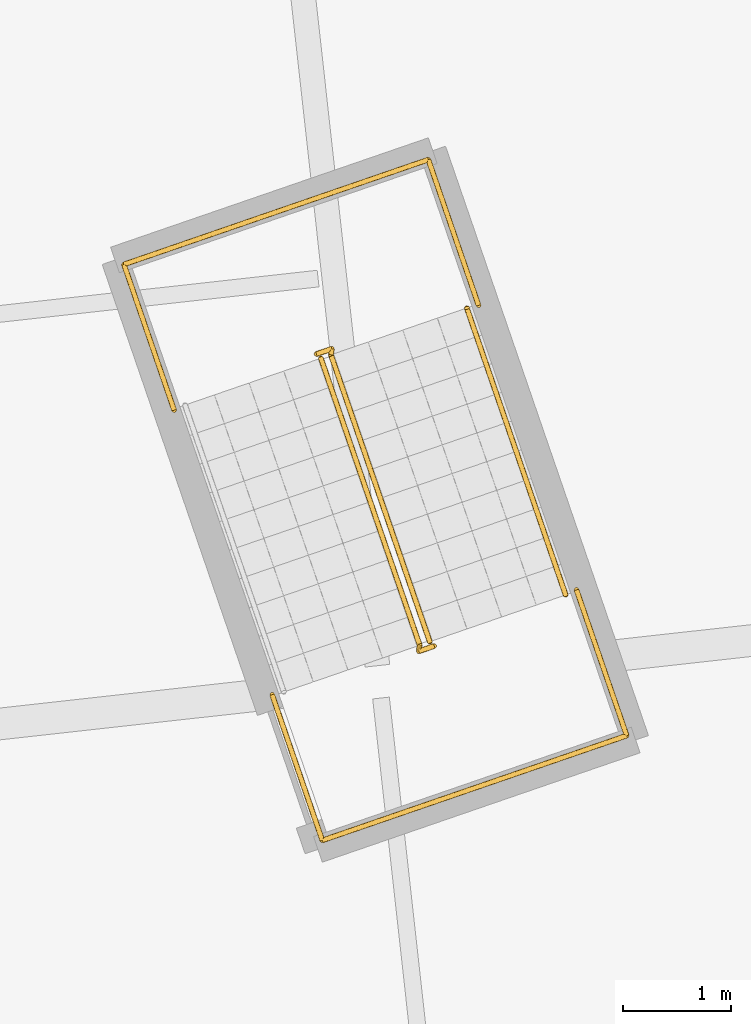
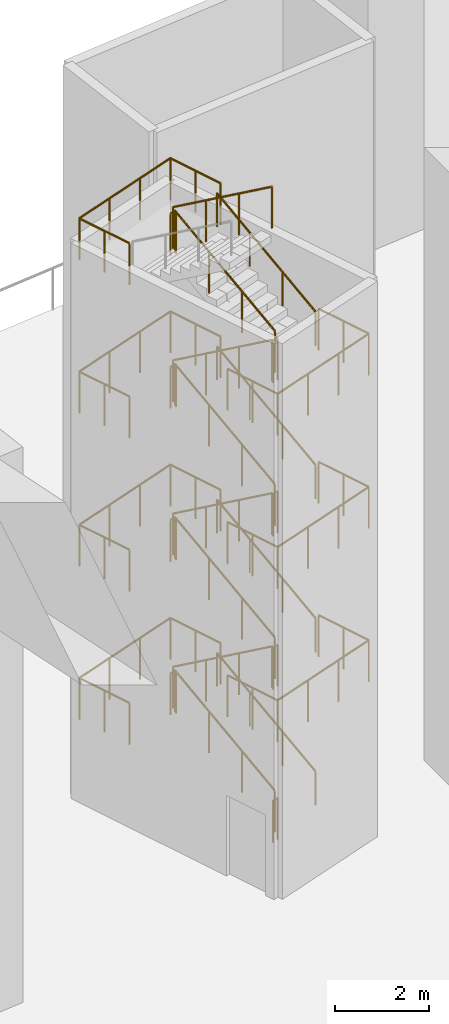
# One storey, part 10 of 13: 20 railings.
"""IFC4 building model written with IfcOpenShell, lengths in metres."""

from ifc_helpers import new_model, si_unit, direction, frame, origin, origin_2d, place, context, subcontext, project, spatial, circle, extrude, material, type_object, element, save


model = new_model("IFC4")

# Units and contexts
model_context = context("Model", 3, precision=1e-05, world=origin(), true_north=direction((0.0, 1.0)))
body_context = subcontext(model_context, "Body", "Model", "MODEL_VIEW")
ifc_project = project(units=[si_unit("LENGTHUNIT", "METRE"), si_unit("AREAUNIT", "SQUARE_METRE"), si_unit("VOLUMEUNIT", "CUBIC_METRE"), si_unit("PLANEANGLEUNIT", "RADIAN"), si_unit("MASSUNIT", "GRAM", prefix="KILO")], contexts=[model_context])

# Site, building, storey
site_placement = place(None, origin())
site = spatial("IfcSite", under=ifc_project, at=site_placement, CompositionType="ELEMENT")
building_placement = place(site_placement, origin())
building = spatial("IfcBuilding", under=site, at=building_placement, Name="Cantera Rosa Tower", CompositionType="ELEMENT")
storey_placement = place(building_placement, frame((0.0, 0.0, 84.300048828125)))
storey = spatial("IfcBuildingStorey", under=building, at=storey_placement, Name="L18", CompositionType="ELEMENT", Elevation=84.300048828125)

# Railings
ifc_material_1 = material(Name="Steel S355J2 (EN 10025-2)", Category="steel")
railing_type_1 = type_object("IfcRailingType", Name="STAIR GUARD 1100", PredefinedType="GUARDRAIL", material=ifc_material_1)
railing_1_placement = place(storey_placement, frame((-16.2978515625, 2.292236328125, 0.181884765625)))
element("IfcRailing", 1, at=railing_1_placement, inside=storey, type_object=railing_type_1, Name="L18 ST-22 stair guard 1", PredefinedType="GUARDRAIL", context=body_context, shape_type="SweptSolid", body=[
    extrude(circle(Radius=0.02392578125, at=origin_2d()), frame((0.0, 0.0, 1.076171875), z_axis=(-0.273062306291, 0.793006869154, 0.544588911342), x_axis=(-0.945515586558, -0.325576835135, 0.0)), (0.0, 0.0, 1.0), 3.338623046875),
    extrude(circle(Radius=0.02392578125, at=origin_2d()), frame((-0.91162109375, 2.6474609375, 2.89404296875), z_axis=(0.147491890402, 0.989063265047, 0.0), x_axis=(-0.989063265047, 0.147491890402, 0.0)), (0.0, 0.0, 1.0), 0.056396484375),
    extrude(circle(Radius=0.02392578125, at=origin_2d()), frame((-0.9033203125, 2.703125, 2.89404296875), z_axis=(-0.945545797087, -0.325489086777, 0.0), x_axis=(0.325489086777, -0.945545797087, 0.0)), (0.0, 0.0, 1.0), 0.14990234375),
    extrude(circle(Radius=0.02099609375, at=origin_2d()), origin(), (0.0, 0.0, 1.0), 1.052001953125),
    extrude(circle(Radius=0.02099609375, at=origin_2d()), frame((-0.303955078125, 0.882568359375, 0.60595703125)), (0.0, 0.0, 1.0), 1.052001953125),
    extrude(circle(Radius=0.02099609375, at=origin_2d()), frame((-0.607666015625, 1.764892578125, 1.212158203125)), (0.0, 0.0, 1.0), 1.052001953125),
    extrude(circle(Radius=0.02099609375, at=origin_2d()), frame((-0.91162109375, 2.6474609375, 1.818115234375)), (0.0, 0.0, 1.0), 1.052001953125),
    extrude(circle(Radius=0.02099609375, at=origin_2d()), frame((-0.9033203125, 2.703125, 1.818115234375)), (0.0, 0.0, 1.0), 1.052001953125),
    extrude(circle(Radius=0.02099609375, at=origin_2d()), frame((-1.045166015625, 2.654296875, 1.818115234375)), (0.0, 0.0, 1.0), 1.052001953125),
])
railing_2_placement = place(storey_placement, frame((-17.30224609375, 4.90771484375, 2.181884765625)))
element("IfcRailing", 2, at=railing_2_placement, inside=storey, type_object=railing_type_1, Name="L18 ST-22 stair guard 2", PredefinedType="GUARDRAIL", context=body_context, shape_type="SweptSolid", body=[
    extrude(circle(Radius=0.02392578125, at=origin_2d()), frame((0.0, 0.0, 1.076171875), z_axis=(0.273062306291, -0.793006869154, 0.544588911342), x_axis=(0.945515586558, 0.325576835135, 0.0)), (0.0, 0.0, 1.0), 3.338623046875),
    extrude(circle(Radius=0.02392578125, at=origin_2d()), frame((0.91162109375, -2.6474609375, 2.89404296875), z_axis=(-0.147491890402, -0.989063265047, 0.0), x_axis=(0.989063265047, -0.147491890402, 0.0)), (0.0, 0.0, 1.0), 0.056396484375),
    extrude(circle(Radius=0.02392578125, at=origin_2d()), frame((0.9033203125, -2.703125, 2.89404296875), z_axis=(0.945545797087, 0.325489086777, 0.0), x_axis=(-0.325489086777, 0.945545797087, 0.0)), (0.0, 0.0, 1.0), 0.14990234375),
    extrude(circle(Radius=0.02099609375, at=origin_2d()), origin(), (0.0, 0.0, 1.0), 1.052001953125),
    extrude(circle(Radius=0.02099609375, at=origin_2d()), frame((0.303955078125, -0.882568359375, 0.60595703125)), (0.0, 0.0, 1.0), 1.052001953125),
    extrude(circle(Radius=0.02099609375, at=origin_2d()), frame((0.607666015625, -1.764892578125, 1.212158203125)), (0.0, 0.0, 1.0), 1.052001953125),
    extrude(circle(Radius=0.02099609375, at=origin_2d()), frame((0.91162109375, -2.6474609375, 1.818115234375)), (0.0, 0.0, 1.0), 1.052001953125),
    extrude(circle(Radius=0.02099609375, at=origin_2d()), frame((0.9033203125, -2.703125, 1.818115234375)), (0.0, 0.0, 1.0), 1.052001953125),
    extrude(circle(Radius=0.02099609375, at=origin_2d()), frame((1.045166015625, -2.654296875, 1.818115234375)), (0.0, 0.0, 1.0), 1.052001953125),
])
railing_3_placement = place(storey_placement, frame((-16.2978515625, 2.292236328125, 4.181884765625)))
element("IfcRailing", 3, at=railing_3_placement, inside=storey, type_object=railing_type_1, Name="L18 ST-22 stair guard 3", PredefinedType="GUARDRAIL", context=body_context, shape_type="SweptSolid", body=[
    extrude(circle(Radius=0.02392578125, at=origin_2d()), frame((0.0, 0.0, 1.076171875), z_axis=(-0.273062306291, 0.793006869154, 0.544588911342), x_axis=(-0.945515586558, -0.325576835135, 0.0)), (0.0, 0.0, 1.0), 3.338623046875),
    extrude(circle(Radius=0.02392578125, at=origin_2d()), frame((-0.91162109375, 2.6474609375, 2.89404296875), z_axis=(0.147491890402, 0.989063265047, 0.0), x_axis=(-0.989063265047, 0.147491890402, 0.0)), (0.0, 0.0, 1.0), 0.056396484375),
    extrude(circle(Radius=0.02392578125, at=origin_2d()), frame((-0.9033203125, 2.703125, 2.89404296875), z_axis=(-0.945545797087, -0.325489086777, 0.0), x_axis=(0.325489086777, -0.945545797087, 0.0)), (0.0, 0.0, 1.0), 0.14990234375),
    extrude(circle(Radius=0.02099609375, at=origin_2d()), origin(), (0.0, 0.0, 1.0), 1.052001953125),
    extrude(circle(Radius=0.02099609375, at=origin_2d()), frame((-0.303955078125, 0.882568359375, 0.60595703125)), (0.0, 0.0, 1.0), 1.052001953125),
    extrude(circle(Radius=0.02099609375, at=origin_2d()), frame((-0.607666015625, 1.764892578125, 1.212158203125)), (0.0, 0.0, 1.0), 1.052001953125),
    extrude(circle(Radius=0.02099609375, at=origin_2d()), frame((-0.91162109375, 2.6474609375, 1.818115234375)), (0.0, 0.0, 1.0), 1.052001953125),
    extrude(circle(Radius=0.02099609375, at=origin_2d()), frame((-0.9033203125, 2.703125, 1.818115234375)), (0.0, 0.0, 1.0), 1.052001953125),
    extrude(circle(Radius=0.02099609375, at=origin_2d()), frame((-1.045166015625, 2.654296875, 1.818115234375)), (0.0, 0.0, 1.0), 1.052001953125),
])
railing_4_placement = place(storey_placement, frame((-17.30224609375, 4.90771484375, 6.181884765625)))
element("IfcRailing", 4, at=railing_4_placement, inside=storey, type_object=railing_type_1, Name="L18 ST-22 stair guard 4", PredefinedType="GUARDRAIL", context=body_context, shape_type="SweptSolid", body=[
    extrude(circle(Radius=0.02392578125, at=origin_2d()), frame((0.0, 0.0, 1.076171875), z_axis=(0.273062306291, -0.793006869154, 0.544588911342), x_axis=(0.945515586558, 0.325576835135, 0.0)), (0.0, 0.0, 1.0), 3.338623046875),
    extrude(circle(Radius=0.02392578125, at=origin_2d()), frame((0.91162109375, -2.6474609375, 2.89404296875), z_axis=(-0.147491890402, -0.989063265047, 0.0), x_axis=(0.989063265047, -0.147491890402, 0.0)), (0.0, 0.0, 1.0), 0.056396484375),
    extrude(circle(Radius=0.02392578125, at=origin_2d()), frame((0.9033203125, -2.703125, 2.89404296875), z_axis=(0.945545797087, 0.325489086777, 0.0), x_axis=(-0.325489086777, 0.945545797087, 0.0)), (0.0, 0.0, 1.0), 0.14990234375),
    extrude(circle(Radius=0.02099609375, at=origin_2d()), origin(), (0.0, 0.0, 1.0), 1.052001953125),
    extrude(circle(Radius=0.02099609375, at=origin_2d()), frame((0.303955078125, -0.882568359375, 0.60595703125)), (0.0, 0.0, 1.0), 1.052001953125),
    extrude(circle(Radius=0.02099609375, at=origin_2d()), frame((0.607666015625, -1.764892578125, 1.212158203125)), (0.0, 0.0, 1.0), 1.052001953125),
    extrude(circle(Radius=0.02099609375, at=origin_2d()), frame((0.91162109375, -2.6474609375, 1.818115234375)), (0.0, 0.0, 1.0), 1.052001953125),
    extrude(circle(Radius=0.02099609375, at=origin_2d()), frame((0.9033203125, -2.703125, 1.818115234375)), (0.0, 0.0, 1.0), 1.052001953125),
    extrude(circle(Radius=0.02099609375, at=origin_2d()), frame((1.045166015625, -2.654296875, 1.818115234375)), (0.0, 0.0, 1.0), 1.052001953125),
])
railing_5_placement = place(storey_placement, frame((-16.2978515625, 2.292236328125, 8.181884765625)))
element("IfcRailing", 5, at=railing_5_placement, inside=storey, type_object=railing_type_1, Name="L18 ST-22 stair guard 5", PredefinedType="GUARDRAIL", context=body_context, shape_type="SweptSolid", body=[
    extrude(circle(Radius=0.02392578125, at=origin_2d()), frame((0.0, 0.0, 1.076171875), z_axis=(-0.273062306291, 0.793006869154, 0.544588911342), x_axis=(-0.945515586558, -0.325576835135, 0.0)), (0.0, 0.0, 1.0), 3.338623046875),
    extrude(circle(Radius=0.02392578125, at=origin_2d()), frame((-0.91162109375, 2.6474609375, 2.89404296875), z_axis=(0.147491890402, 0.989063265047, 0.0), x_axis=(-0.989063265047, 0.147491890402, 0.0)), (0.0, 0.0, 1.0), 0.056396484375),
    extrude(circle(Radius=0.02392578125, at=origin_2d()), frame((-0.9033203125, 2.703125, 2.89404296875), z_axis=(-0.945545797087, -0.325489086777, 0.0), x_axis=(0.325489086777, -0.945545797087, 0.0)), (0.0, 0.0, 1.0), 0.14990234375),
    extrude(circle(Radius=0.02099609375, at=origin_2d()), origin(), (0.0, 0.0, 1.0), 1.052001953125),
    extrude(circle(Radius=0.02099609375, at=origin_2d()), frame((-0.303955078125, 0.882568359375, 0.60595703125)), (0.0, 0.0, 1.0), 1.052001953125),
    extrude(circle(Radius=0.02099609375, at=origin_2d()), frame((-0.607666015625, 1.764892578125, 1.212158203125)), (0.0, 0.0, 1.0), 1.052001953125),
    extrude(circle(Radius=0.02099609375, at=origin_2d()), frame((-0.91162109375, 2.6474609375, 1.818115234375)), (0.0, 0.0, 1.0), 1.052001953125),
    extrude(circle(Radius=0.02099609375, at=origin_2d()), frame((-0.9033203125, 2.703125, 1.818115234375)), (0.0, 0.0, 1.0), 1.052001953125),
    extrude(circle(Radius=0.02099609375, at=origin_2d()), frame((-1.045166015625, 2.654296875, 1.818115234375)), (0.0, 0.0, 1.0), 1.052001953125),
])
railing_6_placement = place(storey_placement, frame((-17.30224609375, 4.90771484375, 10.181884765625)))
element("IfcRailing", 6, at=railing_6_placement, inside=storey, type_object=railing_type_1, Name="L18 ST-22 stair guard 6", PredefinedType="GUARDRAIL", context=body_context, shape_type="SweptSolid", body=[
    extrude(circle(Radius=0.02392578125, at=origin_2d()), frame((0.0, 0.0, 1.076171875), z_axis=(0.273062306291, -0.793006869154, 0.544588911342), x_axis=(0.945515586558, 0.325576835135, 0.0)), (0.0, 0.0, 1.0), 3.338623046875),
    extrude(circle(Radius=0.02392578125, at=origin_2d()), frame((0.91162109375, -2.6474609375, 2.89404296875), z_axis=(-0.147491890402, -0.989063265047, 0.0), x_axis=(0.989063265047, -0.147491890402, 0.0)), (0.0, 0.0, 1.0), 0.056396484375),
    extrude(circle(Radius=0.02392578125, at=origin_2d()), frame((0.9033203125, -2.703125, 2.89404296875), z_axis=(0.945545797087, 0.325489086777, 0.0), x_axis=(-0.325489086777, 0.945545797087, 0.0)), (0.0, 0.0, 1.0), 0.14990234375),
    extrude(circle(Radius=0.02099609375, at=origin_2d()), origin(), (0.0, 0.0, 1.0), 1.052001953125),
    extrude(circle(Radius=0.02099609375, at=origin_2d()), frame((0.303955078125, -0.882568359375, 0.60595703125)), (0.0, 0.0, 1.0), 1.052001953125),
    extrude(circle(Radius=0.02099609375, at=origin_2d()), frame((0.607666015625, -1.764892578125, 1.212158203125)), (0.0, 0.0, 1.0), 1.052001953125),
    extrude(circle(Radius=0.02099609375, at=origin_2d()), frame((0.91162109375, -2.6474609375, 1.818115234375)), (0.0, 0.0, 1.0), 1.052001953125),
    extrude(circle(Radius=0.02099609375, at=origin_2d()), frame((0.9033203125, -2.703125, 1.818115234375)), (0.0, 0.0, 1.0), 1.052001953125),
    extrude(circle(Radius=0.02099609375, at=origin_2d()), frame((1.045166015625, -2.654296875, 1.818115234375)), (0.0, 0.0, 1.0), 1.052001953125),
])
railing_7_placement = place(storey_placement, frame((-16.2978515625, 2.292236328125, 12.181884765625)))
element("IfcRailing", 7, at=railing_7_placement, inside=storey, type_object=railing_type_1, Name="L18 ST-22 stair guard 7", PredefinedType="GUARDRAIL", context=body_context, shape_type="SweptSolid", body=[
    extrude(circle(Radius=0.02392578125, at=origin_2d()), frame((0.0, 0.0, 1.076171875), z_axis=(-0.273062306291, 0.793006869154, 0.544588911342), x_axis=(-0.945515586558, -0.325576835135, 0.0)), (0.0, 0.0, 1.0), 3.338623046875),
    extrude(circle(Radius=0.02392578125, at=origin_2d()), frame((-0.91162109375, 2.6474609375, 2.89404296875), z_axis=(0.147491890402, 0.989063265047, 0.0), x_axis=(-0.989063265047, 0.147491890402, 0.0)), (0.0, 0.0, 1.0), 0.056396484375),
    extrude(circle(Radius=0.02392578125, at=origin_2d()), frame((-0.9033203125, 2.703125, 2.89404296875), z_axis=(-0.945545797087, -0.325489086777, 0.0), x_axis=(0.325489086777, -0.945545797087, 0.0)), (0.0, 0.0, 1.0), 0.14990234375),
    extrude(circle(Radius=0.02099609375, at=origin_2d()), origin(), (0.0, 0.0, 1.0), 1.052001953125),
    extrude(circle(Radius=0.02099609375, at=origin_2d()), frame((-0.303955078125, 0.882568359375, 0.60595703125)), (0.0, 0.0, 1.0), 1.052001953125),
    extrude(circle(Radius=0.02099609375, at=origin_2d()), frame((-0.607666015625, 1.764892578125, 1.212158203125)), (0.0, 0.0, 1.0), 1.052001953125),
    extrude(circle(Radius=0.02099609375, at=origin_2d()), frame((-0.91162109375, 2.6474609375, 1.818115234375)), (0.0, 0.0, 1.0), 1.052001953125),
    extrude(circle(Radius=0.02099609375, at=origin_2d()), frame((-0.9033203125, 2.703125, 1.818115234375)), (0.0, 0.0, 1.0), 1.052001953125),
    extrude(circle(Radius=0.02099609375, at=origin_2d()), frame((-1.045166015625, 2.654296875, 1.818115234375)), (0.0, 0.0, 1.0), 1.052001953125),
])
railing_8_placement = place(storey_placement, frame((-17.30224609375, 4.90771484375, 14.181884765625)))
element("IfcRailing", 8, at=railing_8_placement, inside=storey, type_object=railing_type_1, Name="L18 ST-22 stair guard 8", PredefinedType="GUARDRAIL", context=body_context, shape_type="SweptSolid", body=[
    extrude(circle(Radius=0.02392578125, at=origin_2d()), frame((0.0, 0.0, 1.076171875), z_axis=(0.273062306291, -0.793006869154, 0.544588911342), x_axis=(0.945515586558, 0.325576835135, 0.0)), (0.0, 0.0, 1.0), 3.338623046875),
    extrude(circle(Radius=0.02099609375, at=origin_2d()), origin(), (0.0, 0.0, 1.0), 1.052001953125),
    extrude(circle(Radius=0.02099609375, at=origin_2d()), frame((0.303955078125, -0.882568359375, 0.60595703125)), (0.0, 0.0, 1.0), 1.052001953125),
    extrude(circle(Radius=0.02099609375, at=origin_2d()), frame((0.607666015625, -1.764892578125, 1.212158203125)), (0.0, 0.0, 1.0), 1.052001953125),
    extrude(circle(Radius=0.02099609375, at=origin_2d()), frame((0.91162109375, -2.6474609375, 1.818115234375)), (0.0, 0.0, 1.0), 1.052001953125),
])
railing_9_placement = place(storey_placement, frame((-16.257080078125, 2.25341796875, 0.0)))
element("IfcRailing", 9, at=railing_9_placement, inside=storey, type_object=railing_type_1, Name="L18 ST-22 stair guard 9", PredefinedType="GUARDRAIL", context=body_context, shape_type="SweptSolid", body=[
    extrude(circle(Radius=0.02392578125, at=origin_2d()), frame((0.0, 0.0, 1.076171875), z_axis=(-0.945545797087, -0.325489086777, 0.0), x_axis=(0.325489086777, -0.945545797087, 0.0)), (0.0, 0.0, 1.0), 0.14990234375),
    extrude(circle(Radius=0.02099609375, at=origin_2d()), origin(), (0.0, 0.0, 1.0), 1.052001953125),
    extrude(circle(Radius=0.02099609375, at=origin_2d()), frame((-0.141845703125, -0.048828125, 0.0)), (0.0, 0.0, 1.0), 1.052001953125),
])
railing_10_placement = place(storey_placement, frame((-15.847900390625, 5.395751953125, 2.0)))
element("IfcRailing", 10, at=railing_10_placement, inside=storey, type_object=railing_type_1, Name="L18 ST-22 stair guard 10", PredefinedType="GUARDRAIL", context=body_context, shape_type="SweptSolid", body=[
    extrude(circle(Radius=0.02392578125, at=origin_2d()), frame((0.0, 0.0, 1.076171875), z_axis=(-0.32548274676, 0.945547979513, 0.0), x_axis=(-0.945547979513, -0.32548274676, 0.0)), (0.0, 0.0, 1.0), 1.422119140625),
    extrude(circle(Radius=0.02392578125, at=origin_2d()), frame((-0.462890625, 1.3447265625, 1.076171875), z_axis=(-0.945504814226, -0.325608117645, 0.0), x_axis=(0.325608117645, -0.945504814226, 0.0)), (0.0, 0.0, 1.0), 2.969970703125),
    extrude(circle(Radius=0.02392578125, at=origin_2d()), frame((-3.27099609375, 0.377685546875, 1.076171875), z_axis=(0.325535587332, -0.945529788732, 0.0), x_axis=(0.945529788732, 0.325535587332, 0.0)), (0.0, 0.0, 1.0), 1.421875),
    extrude(circle(Radius=0.02099609375, at=origin_2d()), origin(), (0.0, 0.0, 1.0), 1.052001953125),
    extrude(circle(Radius=0.02099609375, at=origin_2d()), frame((-0.2314453125, 0.67236328125, 0.0)), (0.0, 0.0, 1.0), 1.052001953125),
    extrude(circle(Radius=0.02099609375, at=origin_2d()), frame((-0.462890625, 1.3447265625, 0.0)), (0.0, 0.0, 1.0), 1.052001953125),
    extrude(circle(Radius=0.02099609375, at=origin_2d()), frame((-1.39892578125, 1.0224609375, 0.0)), (0.0, 0.0, 1.0), 1.052001953125),
    extrude(circle(Radius=0.02099609375, at=origin_2d()), frame((-2.3349609375, 0.699951171875, 0.0)), (0.0, 0.0, 1.0), 1.052001953125),
    extrude(circle(Radius=0.02099609375, at=origin_2d()), frame((-3.27099609375, 0.377685546875, 0.0)), (0.0, 0.0, 1.0), 1.052001953125),
    extrude(circle(Radius=0.02099609375, at=origin_2d()), frame((-3.03955078125, -0.29443359375, 0.0)), (0.0, 0.0, 1.0), 1.052001953125),
    extrude(circle(Radius=0.02099609375, at=origin_2d()), frame((-2.80810546875, -0.966796875, 0.0)), (0.0, 0.0, 1.0), 1.052001953125),
])
railing_11_placement = place(storey_placement, frame((-14.944091796875, 2.77099609375, 4.0)))
element("IfcRailing", 11, at=railing_11_placement, inside=storey, type_object=railing_type_1, Name="L18 ST-22 stair guard 11", PredefinedType="GUARDRAIL", context=body_context, shape_type="SweptSolid", body=[
    extrude(circle(Radius=0.02392578125, at=origin_2d()), frame((0.0, 0.0, 1.076171875), z_axis=(0.325689075236, -0.945476930587, 0.0), x_axis=(0.945476930587, 0.325689075236, 0.0)), (0.0, 0.0, 1.0), 1.422119140625),
    extrude(circle(Radius=0.02392578125, at=origin_2d()), frame((0.463134765625, -1.344482421875, 1.076171875), z_axis=(-0.945538830107, -0.325509325152, 0.0), x_axis=(0.325509325152, -0.945538830107, 0.0)), (0.0, 0.0, 1.0), 2.97021484375),
    extrude(circle(Radius=0.02392578125, at=origin_2d()), frame((-2.34521484375, -2.311279296875, 1.076171875), z_axis=(-0.325535587332, 0.945529788732, 0.0), x_axis=(-0.945529788732, -0.325535587332, 0.0)), (0.0, 0.0, 1.0), 1.421875),
    extrude(circle(Radius=0.02099609375, at=origin_2d()), origin(), (0.0, 0.0, 1.0), 1.052001953125),
    extrude(circle(Radius=0.02099609375, at=origin_2d()), frame((0.2314453125, -0.67236328125, 0.0)), (0.0, 0.0, 1.0), 1.052001953125),
    extrude(circle(Radius=0.02099609375, at=origin_2d()), frame((0.463134765625, -1.344482421875, 0.0)), (0.0, 0.0, 1.0), 1.052001953125),
    extrude(circle(Radius=0.02099609375, at=origin_2d()), frame((-0.472900390625, -1.666748046875, 0.0)), (0.0, 0.0, 1.0), 1.052001953125),
    extrude(circle(Radius=0.02099609375, at=origin_2d()), frame((-1.4091796875, -1.989013671875, 0.0)), (0.0, 0.0, 1.0), 1.052001953125),
    extrude(circle(Radius=0.02099609375, at=origin_2d()), frame((-2.34521484375, -2.311279296875, 0.0)), (0.0, 0.0, 1.0), 1.052001953125),
    extrude(circle(Radius=0.02099609375, at=origin_2d()), frame((-2.57666015625, -1.63916015625, 0.0)), (0.0, 0.0, 1.0), 1.052001953125),
    extrude(circle(Radius=0.02099609375, at=origin_2d()), frame((-2.80810546875, -0.966796875, 0.0)), (0.0, 0.0, 1.0), 1.052001953125),
])
railing_12_placement = place(storey_placement, frame((-15.847900390625, 5.395751953125, 6.0)))
element("IfcRailing", 12, at=railing_12_placement, inside=storey, type_object=railing_type_1, Name="L18 ST-22 stair guard 12", PredefinedType="GUARDRAIL", context=body_context, shape_type="SweptSolid", body=[
    extrude(circle(Radius=0.02392578125, at=origin_2d()), frame((0.0, 0.0, 1.076171875), z_axis=(-0.32548274676, 0.945547979513, 0.0), x_axis=(-0.945547979513, -0.32548274676, 0.0)), (0.0, 0.0, 1.0), 1.422119140625),
    extrude(circle(Radius=0.02392578125, at=origin_2d()), frame((-0.462890625, 1.3447265625, 1.076171875), z_axis=(-0.945504814226, -0.325608117645, 0.0), x_axis=(0.325608117645, -0.945504814226, 0.0)), (0.0, 0.0, 1.0), 2.969970703125),
    extrude(circle(Radius=0.02392578125, at=origin_2d()), frame((-3.27099609375, 0.377685546875, 1.076171875), z_axis=(0.325535587332, -0.945529788732, 0.0), x_axis=(0.945529788732, 0.325535587332, 0.0)), (0.0, 0.0, 1.0), 1.421875),
    extrude(circle(Radius=0.02099609375, at=origin_2d()), origin(), (0.0, 0.0, 1.0), 1.052001953125),
    extrude(circle(Radius=0.02099609375, at=origin_2d()), frame((-0.2314453125, 0.67236328125, 0.0)), (0.0, 0.0, 1.0), 1.052001953125),
    extrude(circle(Radius=0.02099609375, at=origin_2d()), frame((-0.462890625, 1.3447265625, 0.0)), (0.0, 0.0, 1.0), 1.052001953125),
    extrude(circle(Radius=0.02099609375, at=origin_2d()), frame((-1.39892578125, 1.0224609375, 0.0)), (0.0, 0.0, 1.0), 1.052001953125),
    extrude(circle(Radius=0.02099609375, at=origin_2d()), frame((-2.3349609375, 0.699951171875, 0.0)), (0.0, 0.0, 1.0), 1.052001953125),
    extrude(circle(Radius=0.02099609375, at=origin_2d()), frame((-3.27099609375, 0.377685546875, 0.0)), (0.0, 0.0, 1.0), 1.052001953125),
    extrude(circle(Radius=0.02099609375, at=origin_2d()), frame((-3.03955078125, -0.29443359375, 0.0)), (0.0, 0.0, 1.0), 1.052001953125),
    extrude(circle(Radius=0.02099609375, at=origin_2d()), frame((-2.80810546875, -0.966796875, 0.0)), (0.0, 0.0, 1.0), 1.052001953125),
])
railing_13_placement = place(storey_placement, frame((-14.944091796875, 2.77099609375, 8.0)))
element("IfcRailing", 13, at=railing_13_placement, inside=storey, type_object=railing_type_1, Name="L18 ST-22 stair guard 13", PredefinedType="GUARDRAIL", context=body_context, shape_type="SweptSolid", body=[
    extrude(circle(Radius=0.02392578125, at=origin_2d()), frame((0.0, 0.0, 1.076171875), z_axis=(0.325689075236, -0.945476930587, 0.0), x_axis=(0.945476930587, 0.325689075236, 0.0)), (0.0, 0.0, 1.0), 1.422119140625),
    extrude(circle(Radius=0.02392578125, at=origin_2d()), frame((0.463134765625, -1.344482421875, 1.076171875), z_axis=(-0.945538830107, -0.325509325152, 0.0), x_axis=(0.325509325152, -0.945538830107, 0.0)), (0.0, 0.0, 1.0), 2.97021484375),
    extrude(circle(Radius=0.02392578125, at=origin_2d()), frame((-2.34521484375, -2.311279296875, 1.076171875), z_axis=(-0.325535587332, 0.945529788732, 0.0), x_axis=(-0.945529788732, -0.325535587332, 0.0)), (0.0, 0.0, 1.0), 1.421875),
    extrude(circle(Radius=0.02099609375, at=origin_2d()), origin(), (0.0, 0.0, 1.0), 1.052001953125),
    extrude(circle(Radius=0.02099609375, at=origin_2d()), frame((0.2314453125, -0.67236328125, 0.0)), (0.0, 0.0, 1.0), 1.052001953125),
    extrude(circle(Radius=0.02099609375, at=origin_2d()), frame((0.463134765625, -1.344482421875, 0.0)), (0.0, 0.0, 1.0), 1.052001953125),
    extrude(circle(Radius=0.02099609375, at=origin_2d()), frame((-0.472900390625, -1.666748046875, 0.0)), (0.0, 0.0, 1.0), 1.052001953125),
    extrude(circle(Radius=0.02099609375, at=origin_2d()), frame((-1.4091796875, -1.989013671875, 0.0)), (0.0, 0.0, 1.0), 1.052001953125),
    extrude(circle(Radius=0.02099609375, at=origin_2d()), frame((-2.34521484375, -2.311279296875, 0.0)), (0.0, 0.0, 1.0), 1.052001953125),
    extrude(circle(Radius=0.02099609375, at=origin_2d()), frame((-2.57666015625, -1.63916015625, 0.0)), (0.0, 0.0, 1.0), 1.052001953125),
    extrude(circle(Radius=0.02099609375, at=origin_2d()), frame((-2.80810546875, -0.966796875, 0.0)), (0.0, 0.0, 1.0), 1.052001953125),
])
railing_14_placement = place(storey_placement, frame((-15.847900390625, 5.395751953125, 10.0)))
element("IfcRailing", 14, at=railing_14_placement, inside=storey, type_object=railing_type_1, Name="L18 ST-22 stair guard 14", PredefinedType="GUARDRAIL", context=body_context, shape_type="SweptSolid", body=[
    extrude(circle(Radius=0.02392578125, at=origin_2d()), frame((0.0, 0.0, 1.076171875), z_axis=(-0.32548274676, 0.945547979513, 0.0), x_axis=(-0.945547979513, -0.32548274676, 0.0)), (0.0, 0.0, 1.0), 1.422119140625),
    extrude(circle(Radius=0.02392578125, at=origin_2d()), frame((-0.462890625, 1.3447265625, 1.076171875), z_axis=(-0.945504814226, -0.325608117645, 0.0), x_axis=(0.325608117645, -0.945504814226, 0.0)), (0.0, 0.0, 1.0), 2.969970703125),
    extrude(circle(Radius=0.02392578125, at=origin_2d()), frame((-3.27099609375, 0.377685546875, 1.076171875), z_axis=(0.325535587332, -0.945529788732, 0.0), x_axis=(0.945529788732, 0.325535587332, 0.0)), (0.0, 0.0, 1.0), 1.421875),
    extrude(circle(Radius=0.02099609375, at=origin_2d()), origin(), (0.0, 0.0, 1.0), 1.052001953125),
    extrude(circle(Radius=0.02099609375, at=origin_2d()), frame((-0.2314453125, 0.67236328125, 0.0)), (0.0, 0.0, 1.0), 1.052001953125),
    extrude(circle(Radius=0.02099609375, at=origin_2d()), frame((-0.462890625, 1.3447265625, 0.0)), (0.0, 0.0, 1.0), 1.052001953125),
    extrude(circle(Radius=0.02099609375, at=origin_2d()), frame((-1.39892578125, 1.0224609375, 0.0)), (0.0, 0.0, 1.0), 1.052001953125),
    extrude(circle(Radius=0.02099609375, at=origin_2d()), frame((-2.3349609375, 0.699951171875, 0.0)), (0.0, 0.0, 1.0), 1.052001953125),
    extrude(circle(Radius=0.02099609375, at=origin_2d()), frame((-3.27099609375, 0.377685546875, 0.0)), (0.0, 0.0, 1.0), 1.052001953125),
    extrude(circle(Radius=0.02099609375, at=origin_2d()), frame((-3.03955078125, -0.29443359375, 0.0)), (0.0, 0.0, 1.0), 1.052001953125),
    extrude(circle(Radius=0.02099609375, at=origin_2d()), frame((-2.80810546875, -0.966796875, 0.0)), (0.0, 0.0, 1.0), 1.052001953125),
])
railing_15_placement = place(storey_placement, frame((-14.944091796875, 2.77099609375, 12.0)))
element("IfcRailing", 15, at=railing_15_placement, inside=storey, type_object=railing_type_1, Name="L18 ST-22 stair guard 15", PredefinedType="GUARDRAIL", context=body_context, shape_type="SweptSolid", body=[
    extrude(circle(Radius=0.02392578125, at=origin_2d()), frame((0.0, 0.0, 1.076171875), z_axis=(0.325689075236, -0.945476930587, 0.0), x_axis=(0.945476930587, 0.325689075236, 0.0)), (0.0, 0.0, 1.0), 1.422119140625),
    extrude(circle(Radius=0.02392578125, at=origin_2d()), frame((0.463134765625, -1.344482421875, 1.076171875), z_axis=(-0.945538830107, -0.325509325152, 0.0), x_axis=(0.325509325152, -0.945538830107, 0.0)), (0.0, 0.0, 1.0), 2.97021484375),
    extrude(circle(Radius=0.02392578125, at=origin_2d()), frame((-2.34521484375, -2.311279296875, 1.076171875), z_axis=(-0.325535587332, 0.945529788732, 0.0), x_axis=(-0.945529788732, -0.325535587332, 0.0)), (0.0, 0.0, 1.0), 1.421875),
    extrude(circle(Radius=0.02099609375, at=origin_2d()), origin(), (0.0, 0.0, 1.0), 1.052001953125),
    extrude(circle(Radius=0.02099609375, at=origin_2d()), frame((0.2314453125, -0.67236328125, 0.0)), (0.0, 0.0, 1.0), 1.052001953125),
    extrude(circle(Radius=0.02099609375, at=origin_2d()), frame((0.463134765625, -1.344482421875, 0.0)), (0.0, 0.0, 1.0), 1.052001953125),
    extrude(circle(Radius=0.02099609375, at=origin_2d()), frame((-0.472900390625, -1.666748046875, 0.0)), (0.0, 0.0, 1.0), 1.052001953125),
    extrude(circle(Radius=0.02099609375, at=origin_2d()), frame((-1.4091796875, -1.989013671875, 0.0)), (0.0, 0.0, 1.0), 1.052001953125),
    extrude(circle(Radius=0.02099609375, at=origin_2d()), frame((-2.34521484375, -2.311279296875, 0.0)), (0.0, 0.0, 1.0), 1.052001953125),
    extrude(circle(Radius=0.02099609375, at=origin_2d()), frame((-2.57666015625, -1.63916015625, 0.0)), (0.0, 0.0, 1.0), 1.052001953125),
    extrude(circle(Radius=0.02099609375, at=origin_2d()), frame((-2.80810546875, -0.966796875, 0.0)), (0.0, 0.0, 1.0), 1.052001953125),
])
railing_16_placement = place(storey_placement, frame((-15.847900390625, 5.395751953125, 14.0)))
element("IfcRailing", 16, at=railing_16_placement, inside=storey, type_object=railing_type_1, Name="L18 ST-22 stair guard 16", PredefinedType="GUARDRAIL", context=body_context, shape_type="SweptSolid", body=[
    extrude(circle(Radius=0.02392578125, at=origin_2d()), frame((0.0, 0.0, 1.076171875), z_axis=(-0.32548274676, 0.945547979513, 0.0), x_axis=(-0.945547979513, -0.32548274676, 0.0)), (0.0, 0.0, 1.0), 1.422119140625),
    extrude(circle(Radius=0.02392578125, at=origin_2d()), frame((-0.462890625, 1.3447265625, 1.076171875), z_axis=(-0.945504814226, -0.325608117645, 0.0), x_axis=(0.325608117645, -0.945504814226, 0.0)), (0.0, 0.0, 1.0), 2.969970703125),
    extrude(circle(Radius=0.02392578125, at=origin_2d()), frame((-3.27099609375, 0.377685546875, 1.076171875), z_axis=(0.325535587332, -0.945529788732, 0.0), x_axis=(0.945529788732, 0.325535587332, 0.0)), (0.0, 0.0, 1.0), 1.421875),
    extrude(circle(Radius=0.02099609375, at=origin_2d()), origin(), (0.0, 0.0, 1.0), 1.052001953125),
    extrude(circle(Radius=0.02099609375, at=origin_2d()), frame((-0.2314453125, 0.67236328125, 0.0)), (0.0, 0.0, 1.0), 1.052001953125),
    extrude(circle(Radius=0.02099609375, at=origin_2d()), frame((-0.462890625, 1.3447265625, 0.0)), (0.0, 0.0, 1.0), 1.052001953125),
    extrude(circle(Radius=0.02099609375, at=origin_2d()), frame((-1.39892578125, 1.0224609375, 0.0)), (0.0, 0.0, 1.0), 1.052001953125),
    extrude(circle(Radius=0.02099609375, at=origin_2d()), frame((-2.3349609375, 0.699951171875, 0.0)), (0.0, 0.0, 1.0), 1.052001953125),
    extrude(circle(Radius=0.02099609375, at=origin_2d()), frame((-3.27099609375, 0.377685546875, 0.0)), (0.0, 0.0, 1.0), 1.052001953125),
    extrude(circle(Radius=0.02099609375, at=origin_2d()), frame((-3.03955078125, -0.29443359375, 0.0)), (0.0, 0.0, 1.0), 1.052001953125),
    extrude(circle(Radius=0.02099609375, at=origin_2d()), frame((-2.80810546875, -0.966796875, 0.0)), (0.0, 0.0, 1.0), 1.052001953125),
])
ifc_material_2 = material(Name="Steel S355J2 (EN 10025-2)", Category="steel")
railing_type_2 = type_object("IfcRailingType", Name="STAIR HANDRAIL 900", PredefinedType="HANDRAIL", material=ifc_material_2)
for number, where, name in (
    (17, (-15.044189453125, 2.723876953125, 0.181884765625), "L18 ST-22 stair handrail 1"),
    (18, (-15.044189453125, 2.723876953125, 4.181884765625), "L18 ST-22 stair handrail 3"),
    (19, (-15.044189453125, 2.723876953125, 8.181884765625), "L18 ST-22 stair handrail 5"),
    (20, (-15.044189453125, 2.723876953125, 12.181884765625), "L18 ST-22 stair handrail 7"),
):
    element("IfcRailing", number, at=place(storey_placement, frame(where)), inside=storey, type_object=railing_type_2, Name=name, PredefinedType="HANDRAIL", context=body_context, shape_type="SweptSolid", body=[
        extrude(circle(Radius=0.02392578125, at=origin_2d()), frame((0.0, 0.0, 0.8759765625), z_axis=(-0.273062306291, 0.793006869154, 0.544588911342), x_axis=(-0.945515586558, -0.325576835135, 0.0)), (0.0, 0.0, 1.0), 3.338623046875),
        extrude(circle(Radius=0.02099609375, at=origin_2d()), origin(), (0.0, 0.0, 1.0), 0.851806640625),
        extrude(circle(Radius=0.02099609375, at=origin_2d()), frame((-0.303955078125, 0.882568359375, 0.60595703125)), (0.0, 0.0, 1.0), 0.851806640625),
        extrude(circle(Radius=0.02099609375, at=origin_2d()), frame((-0.607666015625, 1.764892578125, 1.212158203125)), (0.0, 0.0, 1.0), 0.851806640625),
        extrude(circle(Radius=0.02099609375, at=origin_2d()), frame((-0.91162109375, 2.6474609375, 1.818115234375)), (0.0, 0.0, 1.0), 0.851806640625),
    ])

save(model, "model.ifc")
